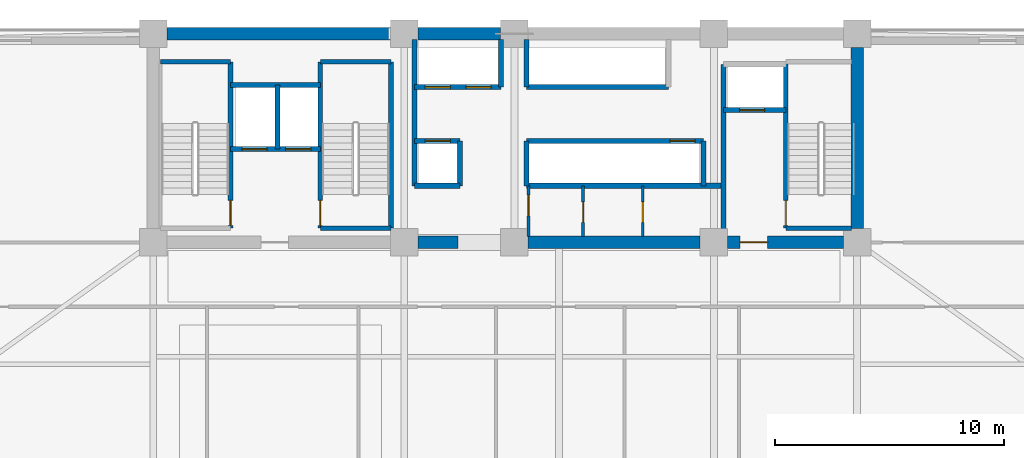
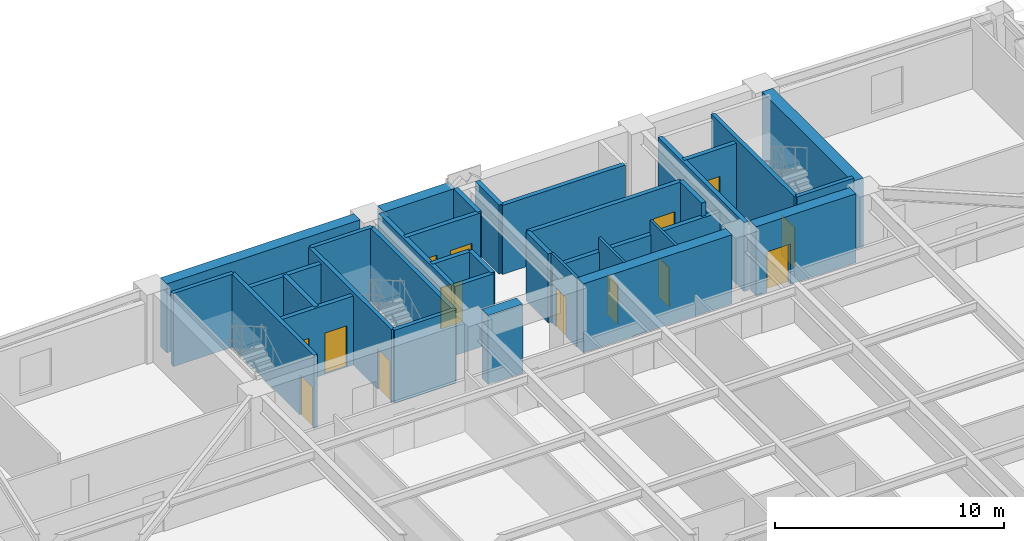
# One storey, part 9 of 15: 34 walls, 14 doors, 14 openings.
"""IFC4 building model written with IfcOpenShell, lengths in metres."""

from ifc_helpers import new_model, si_unit, direction, frame, frame_2d, origin, place, context, subcontext, project, spatial, rectangle, extrude, source, transform, mapped, material, layer, layer_set, type_object, element, fill, save


model = new_model("IFC4")

# Units and contexts
model_context = context("Model", 3, precision=1e-05, world=origin(), true_north=direction((0.0, 1.0)))
body_context = subcontext(model_context, "Body", "Model", "MODEL_VIEW")
ifc_project = project(units=[si_unit("LENGTHUNIT", "METRE"), si_unit("AREAUNIT", "SQUARE_METRE"), si_unit("VOLUMEUNIT", "CUBIC_METRE"), si_unit("PLANEANGLEUNIT", "RADIAN"), si_unit("MASSUNIT", "GRAM", prefix="KILO")], contexts=[model_context])

# Site, building, storey
site_placement = place(None, origin())
site = spatial("IfcSite", under=ifc_project, at=site_placement, CompositionType="ELEMENT")
building_placement = place(site_placement, origin())
building = spatial("IfcBuilding", under=site, at=building_placement, Name="Giltprow Tower", CompositionType="ELEMENT")
storey_placement = place(building_placement, frame((0.0, 0.0, 119.199951171875)))
storey = spatial("IfcBuildingStorey", under=building, at=storey_placement, Name="L29", CompositionType="ELEMENT", Elevation=119.199951171875)

# Wall, openings, doors
ifc_material_1 = material(Name="Concrete C40", Category="concrete")
ifc_layer_1 = layer(ifc_material_1, 0.219970703125, Name="Concrete C40")
ifc_layer_set_1 = layer_set([ifc_layer_1], Name="Concrete C40")
wall_type_1 = type_object("IfcWallType", Name="IW-SHAFT-220", PredefinedType="SOLIDWALL", material=ifc_layer_set_1)
wall_1_placement = place(storey_placement, frame((23.219970703125, 41.52001953125, 0.0), z_axis=(0.0, 0.0, 1.0), x_axis=(1.0, 0.0, 0.0)))
wall_1 = element("IfcWall", 1, at=wall_1_placement, inside=storey, type_object=wall_type_1, Name="L29 FFL1 and Service Lift Front Wall", PredefinedType="SOLIDWALL", context=body_context, shape_type="SweptSolid", body=[
    extrude(rectangle(XDim=3.919921875, YDim=0.219970703125, at=frame_2d((1.9599609375, 0.0))), origin(), (0.0, 0.0, 1.0), 3.679931640625),
])
opening_1_placement = place(wall_1_placement, frame((0.5, 0.0, 0.0)))
opening_1 = element("IfcOpeningElement", 2, at=opening_1_placement, cuts=wall_1, Name="Opening LD-11", PredefinedType="OPENING", context=body_context, shape_type="SweptSolid", body=[
    extrude(rectangle(XDim=1.10009765625, YDim=2.199951171875, at=frame_2d((0.550048828125, 1.10009765625))), frame((0.0, 0.119873046875, 0.0), z_axis=(0.0, -1.0, 0.0), x_axis=(1.0, 0.0, 0.0)), (0.0, 0.0, 1.0), 0.239990234375),
])
opening_2_placement = place(wall_1_placement, frame((2.39990234375, 0.0, 0.0)))
opening_2 = element("IfcOpeningElement", 3, at=opening_2_placement, cuts=wall_1, Name="Opening LD-11", PredefinedType="OPENING", context=body_context, shape_type="SweptSolid", body=[
    extrude(rectangle(XDim=1.10009765625, YDim=2.199951171875, at=frame_2d((0.550048828125, 1.10009765625))), frame((0.0, 0.119873046875, 0.0), z_axis=(0.0, -1.0, 0.0), x_axis=(1.0, 0.0, 0.0)), (0.0, 0.0, 1.0), 0.239990234375),
])
ifc_material_2 = material(Name="Stainless steel", Category="steel")
door_type_1 = type_object("IfcDoorType", Name="DR-LIFT-LD1100", OperationType="SLIDING_TO_LEFT", PredefinedType="DOOR", material=ifc_material_2)
shared_shape_1 = source(origin(), body_context, "Body", "SweptSolid", [
    extrude(rectangle(XDim=1.10009765625, YDim=2.199951171875, at=frame_2d((0.550048828125, 1.10009765625))), frame((0.0, 0.02490234375, 0.0), z_axis=(0.0, -1.0, 0.0), x_axis=(1.0, 0.0, 0.0)), (0.0, 0.0, 1.0), 0.050048828125),
])
door_1_placement = place(opening_1_placement, origin())
door_1 = element("IfcDoor", 4, at=door_1_placement, inside=storey, type_object=door_type_1, Name="L29 FFL1 Landing Door", OperationType="SLIDING_TO_LEFT", OverallHeight=2.199951171875, OverallWidth=1.10009765625, PredefinedType="DOOR", context=body_context, shape_type="MappedRepresentation", body=[
    mapped(shared_shape_1, transform((0.0, 0.0, 0.0), x_axis=(1.0, 0.0, 0.0), y_axis=(0.0, 1.0, 0.0), z_axis=(0.0, 0.0, 1.0), scale=1.0)),
])
fill(opening_1, door_1)
door_2_placement = place(opening_2_placement, origin())
door_2 = element("IfcDoor", 5, at=door_2_placement, inside=storey, type_object=door_type_1, Name="L29 SVL1 Landing Door", OperationType="SLIDING_TO_LEFT", OverallHeight=2.199951171875, OverallWidth=1.10009765625, PredefinedType="DOOR", context=body_context, shape_type="MappedRepresentation", body=[
    mapped(shared_shape_1, transform((0.0, 0.0, 0.0), x_axis=(1.0, 0.0, 0.0), y_axis=(0.0, 1.0, 0.0), z_axis=(0.0, 0.0, 1.0), scale=1.0)),
])
fill(opening_2, door_2)

# Walls
wall_2_placement = place(storey_placement, frame((25.260009765625, 41.52001953125, 0.0), z_axis=(0.0, 0.0, 1.0), x_axis=(0.0, 1.0, 0.0)))
element("IfcWall", 6, at=wall_2_placement, inside=storey, type_object=wall_type_1, Name="L29 FFL1-SVL1 Shaft Divider", PredefinedType="SOLIDWALL", context=body_context, shape_type="SweptSolid", body=[
    extrude(rectangle(XDim=2.800048828125, YDim=0.219970703125, at=frame_2d((1.39990234375, 0.0))), origin(), (0.0, 0.0, 1.0), 3.679931640625),
])
wall_3_placement = place(storey_placement, frame((23.219970703125, 44.320068359375, 0.0), z_axis=(0.0, 0.0, 1.0), x_axis=(1.0, 0.0, 0.0)))
element("IfcWall", 7, at=wall_3_placement, inside=storey, type_object=wall_type_1, Name="L29 FFL1-SVL1 Back Shaft Wall", PredefinedType="SOLIDWALL", context=body_context, shape_type="SweptSolid", body=[
    extrude(rectangle(XDim=3.919921875, YDim=0.219970703125, at=frame_2d((1.9599609375, 0.0))), origin(), (0.0, 0.0, 1.0), 3.679931640625),
])

# Wall, opening, door
wall_4_placement = place(storey_placement, frame((44.719970703125, 43.219970703125, 0.0), z_axis=(0.0, 0.0, 1.0), x_axis=(1.0, 0.0, 0.0)))
wall_4 = element("IfcWall", 8, at=wall_4_placement, inside=storey, type_object=wall_type_1, Name="L29 FFL2 Front Shaft Wall", PredefinedType="SOLIDWALL", context=body_context, shape_type="SweptSolid", body=[
    extrude(rectangle(XDim=2.719970703125, YDim=0.219970703125, at=frame_2d((1.35986328125, 0.0))), origin(), (0.0, 0.0, 1.0), 3.679931640625),
])
opening_3_placement = place(wall_4_placement, frame((0.699951171875, 0.0, 0.0)))
opening_3 = element("IfcOpeningElement", 9, at=opening_3_placement, cuts=wall_4, Name="Opening LD-11", PredefinedType="OPENING", context=body_context, shape_type="SweptSolid", body=[
    extrude(rectangle(XDim=1.10009765625, YDim=2.199951171875, at=frame_2d((0.550048828125, 1.10009765625))), frame((0.0, 0.119873046875, 0.0), z_axis=(0.0, -1.0, 0.0), x_axis=(1.0, 0.0, 0.0)), (0.0, 0.0, 1.0), 0.239990234375),
])
door_3_placement = place(opening_3_placement, origin())
door_3 = element("IfcDoor", 10, at=door_3_placement, inside=storey, type_object=door_type_1, Name="L29 FFL2 Landing Door", OperationType="SLIDING_TO_LEFT", OverallHeight=2.199951171875, OverallWidth=1.10009765625, PredefinedType="DOOR", context=body_context, shape_type="MappedRepresentation", body=[
    mapped(shared_shape_1, transform((0.0, 0.0, 0.0), x_axis=(1.0, 0.0, 0.0), y_axis=(0.0, 1.0, 0.0), z_axis=(0.0, 0.0, 1.0), scale=1.0)),
])
fill(opening_3, door_3)

# Wall
wall_5_placement = place(storey_placement, frame((44.719970703125, 37.705078125, 0.0), z_axis=(0.0, 0.0, 1.0), x_axis=(0.0, 1.0, 0.0)))
element("IfcWall", 11, at=wall_5_placement, inside=storey, type_object=wall_type_1, Name="L29 East Firefighting Lobby West Wall", PredefinedType="SOLIDWALL", context=body_context, shape_type="SweptSolid", body=[
    extrude(rectangle(XDim=7.514892578125, YDim=0.219970703125, at=frame_2d((3.75732421875, 0.0))), origin(), (0.0, 0.0, 1.0), 3.679931640625),
])

# Wall, openings, doors
wall_6_placement = place(storey_placement, frame((31.25, 44.219970703125, 0.0), z_axis=(0.0, 0.0, 1.0), x_axis=(1.0, 0.0, 0.0)))
wall_6 = element("IfcWall", 12, at=wall_6_placement, inside=storey, type_object=wall_type_1, Name="L29 North West Lift Shaft Front Wall", PredefinedType="SOLIDWALL", context=body_context, shape_type="SweptSolid", body=[
    extrude(rectangle(XDim=3.77001953125, YDim=0.219970703125, at=frame_2d((1.885009765625, 0.0))), origin(), (0.0, 0.0, 1.0), 3.679931640625),
])
opening_4_placement = place(wall_6_placement, frame((0.4599609375, 0.0, 0.0)))
opening_4 = element("IfcOpeningElement", 13, at=opening_4_placement, cuts=wall_6, Name="Opening LD-11", PredefinedType="OPENING", context=body_context, shape_type="SweptSolid", body=[
    extrude(rectangle(XDim=1.10009765625, YDim=2.199951171875, at=frame_2d((0.550048828125, 1.10009765625))), frame((0.0, 0.119873046875, 0.0), z_axis=(0.0, -1.0, 0.0), x_axis=(1.0, 0.0, 0.0)), (0.0, 0.0, 1.0), 0.239990234375),
])
opening_5_placement = place(wall_6_placement, frame((2.239990234375, 0.0, 0.0)))
opening_5 = element("IfcOpeningElement", 14, at=opening_5_placement, cuts=wall_6, Name="Opening LD-11", PredefinedType="OPENING", context=body_context, shape_type="SweptSolid", body=[
    extrude(rectangle(XDim=1.10009765625, YDim=2.199951171875, at=frame_2d((0.550048828125, 1.10009765625))), frame((0.0, 0.119873046875, 0.0), z_axis=(0.0, -1.0, 0.0), x_axis=(1.0, 0.0, 0.0)), (0.0, 0.0, 1.0), 0.239990234375),
])
door_4_placement = place(opening_4_placement, origin())
door_4 = element("IfcDoor", 15, at=door_4_placement, inside=storey, type_object=door_type_1, Name="L29 PL-L1 Landing Door", OperationType="SLIDING_TO_LEFT", OverallHeight=2.199951171875, OverallWidth=1.10009765625, PredefinedType="DOOR", context=body_context, shape_type="MappedRepresentation", body=[
    mapped(shared_shape_1, transform((0.0, 0.0, 0.0), x_axis=(1.0, 0.0, 0.0), y_axis=(0.0, 1.0, 0.0), z_axis=(0.0, 0.0, 1.0), scale=1.0)),
])
fill(opening_4, door_4)
door_5_placement = place(opening_5_placement, origin())
door_5 = element("IfcDoor", 16, at=door_5_placement, inside=storey, type_object=door_type_1, Name="L29 PL-L2 Landing Door", OperationType="SLIDING_TO_LEFT", OverallHeight=2.199951171875, OverallWidth=1.10009765625, PredefinedType="DOOR", context=body_context, shape_type="MappedRepresentation", body=[
    mapped(shared_shape_1, transform((0.0, 0.0, 0.0), x_axis=(1.0, 0.0, 0.0), y_axis=(0.0, 1.0, 0.0), z_axis=(0.0, 0.0, 1.0), scale=1.0)),
])
fill(opening_5, door_5)

# Walls
wall_7_placement = place(storey_placement, frame((36.1201171875, 44.219970703125, 0.0), z_axis=(0.0, 0.0, 1.0), x_axis=(1.0, 0.0, 0.0)))
element("IfcWall", 17, at=wall_7_placement, inside=storey, type_object=wall_type_1, Name="L29 North East Lift Shaft Front Wall", PredefinedType="SOLIDWALL", context=body_context, shape_type="SweptSolid", body=[
    extrude(rectangle(XDim=6.199951171875, YDim=0.219970703125, at=frame_2d((3.10009765625, 0.0))), origin(), (0.0, 0.0, 1.0), 3.679931640625),
])
for number, where, z_axis, x_axis, name in (
    (18, (35.02001953125, 44.219970703125, 0.0), (0.0, 0.0, 1.0), (0.0, 1.0, 0.0), "L29 North West Lift Shaft East Closure"),
    (19, (36.1201171875, 44.219970703125, 0.0), (0.0, 0.0, 1.0), (0.0, 1.0, 0.0), "L29 North East Lift Shaft West Closure"),
):
    element("IfcWall", number, at=place(storey_placement, frame(where, z_axis=z_axis, x_axis=x_axis)), inside=storey, type_object=wall_type_1, Name=name, PredefinedType="SOLIDWALL", context=body_context, shape_type="SweptSolid", body=[
        extrude(rectangle(XDim=2.074951171875, YDim=0.219970703125, at=frame_2d((1.03759765625, 0.0))), origin(), (0.0, 0.0, 1.0), 3.679931640625),
    ])

# Wall, opening, door
wall_8_placement = place(storey_placement, frame((31.25, 41.8798828125, 0.0), z_axis=(0.0, 0.0, 1.0), x_axis=(1.0, 0.0, 0.0)))
wall_8 = element("IfcWall", 20, at=wall_8_placement, inside=storey, type_object=wall_type_1, Name="L29 South West Lift Shaft Front Wall", PredefinedType="SOLIDWALL", context=body_context, shape_type="SweptSolid", body=[
    extrude(rectangle(XDim=1.969970703125, YDim=0.219970703125, at=frame_2d((0.98486328125, 0.0))), origin(), (0.0, 0.0, 1.0), 3.679931640625),
])
opening_6_placement = place(wall_8_placement, frame((0.4599609375, 0.0, 0.0)))
opening_6 = element("IfcOpeningElement", 21, at=opening_6_placement, cuts=wall_8, Name="Opening LD-11", PredefinedType="OPENING", context=body_context, shape_type="SweptSolid", body=[
    extrude(rectangle(XDim=1.10009765625, YDim=2.199951171875, at=frame_2d((0.550048828125, 1.10009765625))), frame((0.0, 0.119873046875, 0.0), z_axis=(0.0, -1.0, 0.0), x_axis=(1.0, 0.0, 0.0)), (0.0, 0.0, 1.0), 0.239990234375),
])
door_6_placement = place(opening_6_placement, origin())
door_6 = element("IfcDoor", 22, at=door_6_placement, inside=storey, type_object=door_type_1, Name="L29 PL-L3 Landing Door", OperationType="SLIDING_TO_LEFT", OverallHeight=2.199951171875, OverallWidth=1.10009765625, PredefinedType="DOOR", context=body_context, shape_type="MappedRepresentation", body=[
    mapped(shared_shape_1, transform((0.0, 0.0, 0.0), x_axis=(1.0, 0.0, 0.0), y_axis=(0.0, 1.0, 0.0), z_axis=(0.0, 0.0, 1.0), scale=1.0)),
])
fill(opening_6, door_6)

wall_9_placement = place(storey_placement, frame((36.1201171875, 41.8798828125, 0.0), z_axis=(0.0, 0.0, 1.0), x_axis=(1.0, 0.0, 0.0)))
wall_9 = element("IfcWall", 23, at=wall_9_placement, inside=storey, type_object=wall_type_1, Name="L29 South East Lift Shaft Front Wall", PredefinedType="SOLIDWALL", context=body_context, shape_type="SweptSolid", body=[
    extrude(rectangle(XDim=7.72998046875, YDim=0.219970703125, at=frame_2d((3.864990234375, 0.0))), origin(), (0.0, 0.0, 1.0), 3.679931640625),
])
opening_7_placement = place(wall_9_placement, frame((6.260009765625, 0.0, 0.0)))
opening_7 = element("IfcOpeningElement", 24, at=opening_7_placement, cuts=wall_9, Name="Opening LD-11", PredefinedType="OPENING", context=body_context, shape_type="SweptSolid", body=[
    extrude(rectangle(XDim=1.10009765625, YDim=2.199951171875, at=frame_2d((0.550048828125, 1.10009765625))), frame((0.0, 0.119873046875, 0.0), z_axis=(0.0, -1.0, 0.0), x_axis=(1.0, 0.0, 0.0)), (0.0, 0.0, 1.0), 0.239990234375),
])
door_7_placement = place(opening_7_placement, origin())
door_7 = element("IfcDoor", 25, at=door_7_placement, inside=storey, type_object=door_type_1, Name="L29 PL-L4 Landing Door", OperationType="SLIDING_TO_LEFT", OverallHeight=2.199951171875, OverallWidth=1.10009765625, PredefinedType="DOOR", context=body_context, shape_type="MappedRepresentation", body=[
    mapped(shared_shape_1, transform((0.0, 0.0, 0.0), x_axis=(1.0, 0.0, 0.0), y_axis=(0.0, 1.0, 0.0), z_axis=(0.0, 0.0, 1.0), scale=1.0)),
])
fill(opening_7, door_7)

# Walls
wall_10_placement = place(storey_placement, frame((31.25, 39.919921875, 0.0), z_axis=(0.0, 0.0, 1.0), x_axis=(1.0, 0.0, 0.0)))
element("IfcWall", 26, at=wall_10_placement, inside=storey, type_object=wall_type_1, Name="L29 Low-Rise South Lift Back Wall", PredefinedType="SOLIDWALL", context=body_context, shape_type="SweptSolid", body=[
    extrude(rectangle(XDim=1.969970703125, YDim=0.219970703125, at=frame_2d((0.98486328125, 0.0))), origin(), (0.0, 0.0, 1.0), 3.679931640625),
])
wall_11_placement = place(storey_placement, frame((33.219970703125, 39.919921875, 0.0), z_axis=(0.0, 0.0, 1.0), x_axis=(0.0, 1.0, 0.0)))
element("IfcWall", 27, at=wall_11_placement, inside=storey, type_object=wall_type_1, Name="L29 Low-Rise South Lift East Closure", PredefinedType="SOLIDWALL", context=body_context, shape_type="SweptSolid", body=[
    extrude(rectangle(XDim=1.9599609375, YDim=0.219970703125, at=frame_2d((0.97998046875, 0.0))), origin(), (0.0, 0.0, 1.0), 3.679931640625),
])
wall_12_placement = place(storey_placement, frame((36.1201171875, 39.919921875, 0.0), z_axis=(0.0, 0.0, 1.0), x_axis=(1.0, 0.0, 0.0)))
element("IfcWall", 28, at=wall_12_placement, inside=storey, type_object=wall_type_1, Name="L29 Express South Shaft Back Wall", PredefinedType="SOLIDWALL", context=body_context, shape_type="SweptSolid", body=[
    extrude(rectangle(XDim=8.599853515625, YDim=0.219970703125, at=frame_2d((4.2998046875, 0.0))), origin(), (0.0, 0.0, 1.0), 2.965087890625),
])
wall_13_placement = place(storey_placement, frame((36.1201171875, 39.919921875, 0.0), z_axis=(0.0, 0.0, 1.0), x_axis=(0.0, 1.0, 0.0)))
element("IfcWall", 29, at=wall_13_placement, inside=storey, type_object=wall_type_1, Name="L29 Express South Shaft West Closure", PredefinedType="SOLIDWALL", context=body_context, shape_type="SweptSolid", body=[
    extrude(rectangle(XDim=1.9599609375, YDim=0.219970703125, at=frame_2d((0.97998046875, 0.0))), origin(), (0.0, 0.0, 1.0), 3.679931640625),
])
wall_14_placement = place(storey_placement, frame((31.25, 39.919921875, 0.0), z_axis=(0.0, 0.0, 1.0), x_axis=(0.0, 1.0, 0.0)))
element("IfcWall", 30, at=wall_14_placement, inside=storey, type_object=wall_type_1, Name="L29 Lift Bank West Closure", PredefinedType="SOLIDWALL", context=body_context, shape_type="SweptSolid", body=[
    extrude(rectangle(XDim=6.375, YDim=0.219970703125, at=frame_2d((3.1875, 0.0))), origin(), (0.0, 0.0, 1.0), 3.679931640625),
])
wall_15_placement = place(storey_placement, frame((43.85009765625, 39.919921875, 0.0), z_axis=(0.0, 0.0, 1.0), x_axis=(0.0, 1.0, 0.0)))
element("IfcWall", 31, at=wall_15_placement, inside=storey, type_object=wall_type_1, Name="L29 Lift Bank South-East Closure", PredefinedType="SOLIDWALL", context=body_context, shape_type="SweptSolid", body=[
    extrude(rectangle(XDim=1.9599609375, YDim=0.219970703125, at=frame_2d((0.97998046875, 0.0))), origin(), (0.0, 0.0, 1.0), 3.679931640625),
])

# Wall, opening, door
ifc_layer_2 = layer(ifc_material_1, 0.199951171875, Name="Concrete C40")
ifc_layer_set_2 = layer_set([ifc_layer_2], Name="Concrete C40")
wall_type_2 = type_object("IfcWallType", Name="IW-STAIR-200", PredefinedType="SOLIDWALL", material=ifc_layer_set_2)
wall_16_placement = place(storey_placement, frame((23.219970703125, 38.070068359375, 0.0), z_axis=(0.0, 0.0, 1.0), x_axis=(0.0, 1.0, 0.0)))
wall_16 = element("IfcWall", 32, at=wall_16_placement, inside=storey, type_object=wall_type_2, Name="L29 Stair ST-1 East Bearing Wall", PredefinedType="SOLIDWALL", context=body_context, shape_type="SweptSolid", body=[
    extrude(rectangle(XDim=7.25, YDim=0.199951171875, at=frame_2d((3.625, 0.0))), origin(), (0.0, 0.0, 1.0), 3.900146484375),
])
opening_8_placement = place(wall_16_placement, frame((0.110107421875, 0.0, 0.0)))
opening_8 = element("IfcOpeningElement", 33, at=opening_8_placement, cuts=wall_16, Name="Opening ID33", PredefinedType="OPENING", context=body_context, shape_type="SweptSolid", body=[
    extrude(rectangle(XDim=1.10009765625, YDim=2.14990234375, at=frame_2d((0.550048828125, 1.074951171875))), frame((0.0, 0.10986328125, 0.0), z_axis=(0.0, -1.0, 0.0), x_axis=(1.0, 0.0, 0.0)), (0.0, 0.0, 1.0), 0.219970703125),
])
ifc_material_3 = material(Name="Steel fire leaf", Category="steel")
door_type_2 = type_object("IfcDoorType", Name="DR-STAIR-1100", OperationType="SINGLE_SWING_LEFT", PredefinedType="DOOR", material=ifc_material_3)
shared_shape_2 = source(origin(), body_context, "Body", "SweptSolid", [
    extrude(rectangle(XDim=1.10009765625, YDim=2.14990234375, at=frame_2d((0.550048828125, 1.074951171875))), frame((0.0, 0.02490234375, 0.0), z_axis=(0.0, -1.0, 0.0), x_axis=(1.0, 0.0, 0.0)), (0.0, 0.0, 1.0), 0.050048828125),
])
door_8_placement = place(opening_8_placement, origin())
door_8 = element("IfcDoor", 34, at=door_8_placement, inside=storey, type_object=door_type_2, Name="L29 Stair ST-1 Fire Door", OperationType="SINGLE_SWING_RIGHT", OverallHeight=2.14990234375, OverallWidth=1.10009765625, PredefinedType="DOOR", context=body_context, shape_type="MappedRepresentation", body=[
    mapped(shared_shape_2, transform((0.0, 0.0, 0.0), x_axis=(1.0, 0.0, 0.0), y_axis=(0.0, 1.0, 0.0), z_axis=(0.0, 0.0, 1.0), scale=1.0)),
])
fill(opening_8, door_8)

# Wall
wall_17_placement = place(storey_placement, frame((20.169921875, 45.320068359375, 0.0), z_axis=(0.0, 0.0, 1.0), x_axis=(1.0, 0.0, 0.0)))
element("IfcWall", 35, at=wall_17_placement, inside=storey, type_object=wall_type_2, Name="L29 Stair ST-1 North Bearing Wall", PredefinedType="SOLIDWALL", context=body_context, shape_type="SweptSolid", body=[
    extrude(rectangle(XDim=3.050048828125, YDim=0.199951171875, at=frame_2d((1.52490234375, 0.0))), origin(), (0.0, 0.0, 1.0), 3.900146484375),
])

# Wall, opening, door
wall_18_placement = place(storey_placement, frame((27.139892578125, 38.070068359375, 0.0), z_axis=(0.0, 0.0, 1.0), x_axis=(0.0, 1.0, 0.0)))
wall_18 = element("IfcWall", 36, at=wall_18_placement, inside=storey, type_object=wall_type_2, Name="L29 Stair ST-2 West Bearing Wall", PredefinedType="SOLIDWALL", context=body_context, shape_type="SweptSolid", body=[
    extrude(rectangle(XDim=7.25, YDim=0.199951171875, at=frame_2d((3.625, 0.0))), origin(), (0.0, 0.0, 1.0), 3.900146484375),
])
opening_9_placement = place(wall_18_placement, frame((0.110107421875, 0.0, 0.0)))
opening_9 = element("IfcOpeningElement", 37, at=opening_9_placement, cuts=wall_18, Name="Opening ID33", PredefinedType="OPENING", context=body_context, shape_type="SweptSolid", body=[
    extrude(rectangle(XDim=1.10009765625, YDim=2.14990234375, at=frame_2d((0.550048828125, 1.074951171875))), frame((0.0, 0.10986328125, 0.0), z_axis=(0.0, -1.0, 0.0), x_axis=(1.0, 0.0, 0.0)), (0.0, 0.0, 1.0), 0.219970703125),
])
door_9_placement = place(opening_9_placement, origin())
door_9 = element("IfcDoor", 38, at=door_9_placement, inside=storey, type_object=door_type_2, Name="L29 Stair ST-2 Fire Door", OperationType="SINGLE_SWING_LEFT", OverallHeight=2.14990234375, OverallWidth=1.10009765625, PredefinedType="DOOR", context=body_context, shape_type="MappedRepresentation", body=[
    mapped(shared_shape_2, transform((0.0, 0.0, 0.0), x_axis=(1.0, 0.0, 0.0), y_axis=(0.0, 1.0, 0.0), z_axis=(0.0, 0.0, 1.0), scale=1.0)),
])
fill(opening_9, door_9)

# Walls
wall_19_placement = place(storey_placement, frame((30.219970703125, 38.070068359375, 0.0), z_axis=(0.0, 0.0, 1.0), x_axis=(0.0, 1.0, 0.0)))
element("IfcWall", 39, at=wall_19_placement, inside=storey, type_object=wall_type_2, Name="L29 Stair ST-2 East Bearing Wall", PredefinedType="SOLIDWALL", context=body_context, shape_type="SweptSolid", body=[
    extrude(rectangle(XDim=7.25, YDim=0.199951171875, at=frame_2d((3.625, 0.0))), origin(), (0.0, 0.0, 1.0), 3.900146484375),
])
for number, where, z_axis, x_axis, name in (
    (40, (27.139892578125, 45.320068359375, 0.0), (0.0, 0.0, 1.0), (1.0, 0.0, 0.0), "L29 Stair ST-2 North Bearing Wall"),
    (41, (27.139892578125, 38.070068359375, 0.0), (0.0, 0.0, 1.0), (1.0, 0.0, 0.0), "L29 Stair ST-2 South Bearing Wall"),
):
    element("IfcWall", number, at=place(storey_placement, frame(where, z_axis=z_axis, x_axis=x_axis)), inside=storey, type_object=wall_type_2, Name=name, PredefinedType="SOLIDWALL", context=body_context, shape_type="SweptSolid", body=[
        extrude(rectangle(XDim=3.080078125, YDim=0.199951171875, at=frame_2d((1.5400390625, 0.0))), origin(), (0.0, 0.0, 1.0), 3.900146484375),
    ])

# Wall, opening, door
wall_20_placement = place(storey_placement, frame((47.43994140625, 38.070068359375, 0.0), z_axis=(0.0, 0.0, 1.0), x_axis=(0.0, 1.0, 0.0)))
wall_20 = element("IfcWall", 42, at=wall_20_placement, inside=storey, type_object=wall_type_2, Name="L29 Stair ST-3 West Bearing Wall", PredefinedType="SOLIDWALL", context=body_context, shape_type="SweptSolid", body=[
    extrude(rectangle(XDim=7.25, YDim=0.199951171875, at=frame_2d((3.625, 0.0))), origin(), (0.0, 0.0, 1.0), 3.900146484375),
])
opening_10_placement = place(wall_20_placement, frame((0.110107421875, 0.0, 0.0)))
opening_10 = element("IfcOpeningElement", 43, at=opening_10_placement, cuts=wall_20, Name="Opening ID33", PredefinedType="OPENING", context=body_context, shape_type="SweptSolid", body=[
    extrude(rectangle(XDim=1.10009765625, YDim=2.14990234375, at=frame_2d((0.550048828125, 1.074951171875))), frame((0.0, 0.10986328125, 0.0), z_axis=(0.0, -1.0, 0.0), x_axis=(1.0, 0.0, 0.0)), (0.0, 0.0, 1.0), 0.219970703125),
])
door_10_placement = place(opening_10_placement, origin())
door_10 = element("IfcDoor", 44, at=door_10_placement, inside=storey, type_object=door_type_2, Name="L29 Stair ST-3 Fire Door", OperationType="SINGLE_SWING_RIGHT", OverallHeight=2.14990234375, OverallWidth=1.10009765625, PredefinedType="DOOR", context=body_context, shape_type="MappedRepresentation", body=[
    mapped(shared_shape_2, transform((0.0, 0.0, 0.0), x_axis=(1.0, 0.0, 0.0), y_axis=(0.0, 1.0, 0.0), z_axis=(0.0, 0.0, 1.0), scale=1.0)),
])
fill(opening_10, door_10)

# Wall
wall_21_placement = place(storey_placement, frame((47.43994140625, 38.070068359375, 0.0), z_axis=(0.0, 0.0, 1.0), x_axis=(1.0, 0.0, 0.0)))
element("IfcWall", 45, at=wall_21_placement, inside=storey, type_object=wall_type_2, Name="L29 Stair ST-3 South Bearing Wall", PredefinedType="SOLIDWALL", context=body_context, shape_type="SweptSolid", body=[
    extrude(rectangle(XDim=2.85498046875, YDim=0.199951171875, at=frame_2d((1.427490234375, 0.0))), origin(), (0.0, 0.0, 1.0), 3.900146484375),
])

# Wall, opening, door
ifc_material_4 = material(Name="Concrete C30", Category="concrete")
ifc_layer_3 = layer(ifc_material_4, 0.1298828125, Name="Concrete C30")
ifc_layer_set_3 = layer_set([ifc_layer_3], Name="Concrete C30")
wall_type_3 = type_object("IfcWallType", Name="IW-WET-130", PredefinedType="PARTITIONING", material=ifc_layer_set_3)
wall_22_placement = place(storey_placement, frame((36.219970703125, 37.705078125, 0.0), z_axis=(0.0, 0.0, 1.0), x_axis=(0.0, 1.0, 0.0)))
wall_22 = element("IfcWall", 46, at=wall_22_placement, inside=storey, type_object=wall_type_3, Name="L29 Core Suite West Wall", PredefinedType="PARTITIONING", context=body_context, shape_type="SweptSolid", body=[
    extrude(rectangle(XDim=2.21484375, YDim=0.1298828125, at=frame_2d((1.107421875, 0.0))), origin(), (0.0, 0.0, 1.0), 3.679931640625),
])
opening_11_placement = place(wall_22_placement, frame((0.905029296875, 0.0, 0.0)))
opening_11 = element("IfcOpeningElement", 47, at=opening_11_placement, cuts=wall_22, Name="Opening ID35", PredefinedType="OPENING", context=body_context, shape_type="SweptSolid", body=[
    extrude(rectangle(XDim=0.89990234375, YDim=2.10009765625, at=frame_2d((0.449951171875, 1.050048828125))), frame((0.0, 0.074951171875, 0.0), z_axis=(0.0, -1.0, 0.0), x_axis=(1.0, 0.0, 0.0)), (0.0, 0.0, 1.0), 0.14990234375),
])
door_type_3 = type_object("IfcDoorType", Name="DR-SHAFT-900", OperationType="SINGLE_SWING_LEFT", PredefinedType="DOOR", material=ifc_material_3)
shared_shape_3 = source(origin(), body_context, "Body", "SweptSolid", [
    extrude(rectangle(XDim=0.89990234375, YDim=2.10009765625, at=frame_2d((0.449951171875, 1.050048828125))), frame((0.0, 0.02490234375, 0.0), z_axis=(0.0, -1.0, 0.0), x_axis=(1.0, 0.0, 0.0)), (0.0, 0.0, 1.0), 0.050048828125),
])
door_11_placement = place(opening_11_placement, origin())
door_11 = element("IfcDoor", 48, at=door_11_placement, inside=storey, type_object=door_type_3, Name="L29 Core Washroom 1 Door", OperationType="SINGLE_SWING_RIGHT", OverallHeight=2.10009765625, OverallWidth=0.89990234375, PredefinedType="DOOR", context=body_context, shape_type="MappedRepresentation", body=[
    mapped(shared_shape_3, transform((0.0, 0.0, 0.0), x_axis=(1.0, 0.0, 0.0), y_axis=(0.0, 1.0, 0.0), z_axis=(0.0, 0.0, 1.0), scale=1.0)),
])
fill(opening_11, door_11)

wall_23_placement = place(storey_placement, frame((38.60009765625, 37.705078125, 0.0), z_axis=(0.0, 0.0, 1.0), x_axis=(0.0, 1.0, 0.0)))
wall_23 = element("IfcWall", 49, at=wall_23_placement, inside=storey, type_object=wall_type_3, Name="L29 Core Suite Divider 1", PredefinedType="PARTITIONING", context=body_context, shape_type="SweptSolid", body=[
    extrude(rectangle(XDim=2.21484375, YDim=0.1298828125, at=frame_2d((1.107421875, 0.0))), origin(), (0.0, 0.0, 1.0), 3.679931640625),
])
opening_12_placement = place(wall_23_placement, frame((0.614990234375, 0.0, 0.0)))
opening_12 = element("IfcOpeningElement", 50, at=opening_12_placement, cuts=wall_23, Name="Opening ID35", PredefinedType="OPENING", context=body_context, shape_type="SweptSolid", body=[
    extrude(rectangle(XDim=0.89990234375, YDim=2.10009765625, at=frame_2d((0.449951171875, 1.050048828125))), frame((0.0, 0.074951171875, 0.0), z_axis=(0.0, -1.0, 0.0), x_axis=(1.0, 0.0, 0.0)), (0.0, 0.0, 1.0), 0.14990234375),
])
door_12_placement = place(opening_12_placement, origin())
door_12 = element("IfcDoor", 51, at=door_12_placement, inside=storey, type_object=door_type_3, Name="L29 Core Stationery Room Door", OperationType="SINGLE_SWING_RIGHT", OverallHeight=2.10009765625, OverallWidth=0.89990234375, PredefinedType="DOOR", context=body_context, shape_type="MappedRepresentation", body=[
    mapped(shared_shape_3, transform((0.0, 0.0, 0.0), x_axis=(1.0, 0.0, 0.0), y_axis=(0.0, 1.0, 0.0), z_axis=(0.0, 0.0, 1.0), scale=1.0)),
])
fill(opening_12, door_12)

wall_24_placement = place(storey_placement, frame((41.199951171875, 37.705078125, 0.0), z_axis=(0.0, 0.0, 1.0), x_axis=(0.0, 1.0, 0.0)))
wall_24 = element("IfcWall", 52, at=wall_24_placement, inside=storey, type_object=wall_type_3, Name="L29 Core Suite Divider 2", PredefinedType="PARTITIONING", context=body_context, shape_type="SweptSolid", body=[
    extrude(rectangle(XDim=2.21484375, YDim=0.1298828125, at=frame_2d((1.107421875, 0.0))), origin(), (0.0, 0.0, 1.0), 3.679931640625),
])
opening_13_placement = place(wall_24_placement, frame((0.614990234375, 0.0, 0.0)))
opening_13 = element("IfcOpeningElement", 53, at=opening_13_placement, cuts=wall_24, Name="Opening ID35", PredefinedType="OPENING", context=body_context, shape_type="SweptSolid", body=[
    extrude(rectangle(XDim=0.89990234375, YDim=2.10009765625, at=frame_2d((0.449951171875, 1.050048828125))), frame((0.0, 0.074951171875, 0.0), z_axis=(0.0, -1.0, 0.0), x_axis=(1.0, 0.0, 0.0)), (0.0, 0.0, 1.0), 0.14990234375),
])
door_13_placement = place(opening_13_placement, origin())
door_13 = element("IfcDoor", 54, at=door_13_placement, inside=storey, type_object=door_type_3, Name="L29 Core Archive Room Door", OperationType="SINGLE_SWING_LEFT", OverallHeight=2.10009765625, OverallWidth=0.89990234375, PredefinedType="DOOR", context=body_context, shape_type="MappedRepresentation", body=[
    mapped(shared_shape_3, transform((0.0, 0.0, 0.0), x_axis=(1.0, 0.0, 0.0), y_axis=(0.0, 1.0, 0.0), z_axis=(0.0, 0.0, 1.0), scale=1.0)),
])
fill(opening_13, door_13)

# Walls
ifc_material_5 = material(Name="Concrete C60", Category="concrete")
ifc_layer_4 = layer(ifc_material_5, 0.550048828125, Name="Concrete C60")
ifc_layer_set_4 = layer_set([ifc_layer_4], Name="Concrete C60")
wall_type_4 = type_object("IfcWallType", Name="SW-EXT-550-C60", PredefinedType="SHEAR", material=ifc_layer_set_4)
wall_25_placement = place(storey_placement, frame((20.449951171875, 46.550048828125, 0.0), z_axis=(0.0, 0.0, 1.0), x_axis=(1.0, 0.0, 0.0)))
element("IfcWall", 55, at=wall_25_placement, inside=storey, type_object=wall_type_4, Name="L29 North Rear Core Shear Wall 1", PredefinedType="SHEAR", context=body_context, shape_type="SweptSolid", body=[
    extrude(rectangle(XDim=9.75, YDim=0.550048828125, at=frame_2d((4.875, 0.0))), origin(), (0.0, 0.0, 1.0), 3.679931640625),
])
wall_26_placement = place(storey_placement, frame((31.39990234375, 46.550048828125, 0.0), z_axis=(0.0, 0.0, 1.0), x_axis=(1.0, 0.0, 0.0)))
element("IfcWall", 56, at=wall_26_placement, inside=storey, type_object=wall_type_4, Name="L29 North Rear Core Shear Wall 2", PredefinedType="SHEAR", context=body_context, shape_type="SweptSolid", body=[
    extrude(rectangle(XDim=3.60009765625, YDim=0.550048828125, at=frame_2d((1.800048828125, 0.0))), origin(), (0.0, 0.0, 1.0), 3.679931640625),
])
ifc_layer_5 = layer(ifc_material_5, 0.550048828125, Name="Concrete C60")
ifc_layer_set_5 = layer_set([ifc_layer_5], Name="Concrete C60")
wall_type_5 = type_object("IfcWallType", Name="SW-INT-550-C60", PredefinedType="SHEAR", material=ifc_layer_set_5)
wall_27_placement = place(storey_placement, frame((31.39990234375, 37.449951171875, 0.0), z_axis=(0.0, 0.0, 1.0), x_axis=(1.0, 0.0, 0.0)))
element("IfcWall", 57, at=wall_27_placement, inside=storey, type_object=wall_type_5, Name="L29 South Rear Core Shear Wall Mid-West", PredefinedType="SHEAR", context=body_context, shape_type="SweptSolid", body=[
    extrude(rectangle(XDim=1.75, YDim=0.550048828125, at=frame_2d((0.875, 0.0))), origin(), (0.0, 0.0, 1.0), 3.679931640625),
])
wall_28_placement = place(storey_placement, frame((36.199951171875, 37.449951171875, 0.0), z_axis=(0.0, 0.0, 1.0), x_axis=(1.0, 0.0, 0.0)))
element("IfcWall", 58, at=wall_28_placement, inside=storey, type_object=wall_type_5, Name="L29 South Rear Core Shear Wall Mid-East", PredefinedType="SHEAR", context=body_context, shape_type="SweptSolid", body=[
    extrude(rectangle(XDim=7.5, YDim=0.550048828125, at=frame_2d((3.75, 0.0))), origin(), (0.0, 0.0, 1.0), 3.679931640625),
])

# Wall, opening, door
wall_29_placement = place(storey_placement, frame((44.89990234375, 37.449951171875, 0.0), z_axis=(0.0, 0.0, 1.0), x_axis=(1.0, 0.0, 0.0)))
wall_29 = element("IfcWall", 59, at=wall_29_placement, inside=storey, type_object=wall_type_5, Name="L29 South Rear Core Shear Wall East", PredefinedType="SHEAR", context=body_context, shape_type="SweptSolid", body=[
    extrude(rectangle(XDim=5.050048828125, YDim=0.550048828125, at=frame_2d((2.52490234375, 0.0))), origin(), (0.0, 0.0, 1.0), 3.679931640625),
])
opening_14_placement = place(wall_29_placement, frame((0.550048828125, 0.0, 0.0)))
opening_14 = element("IfcOpeningElement", 60, at=opening_14_placement, cuts=wall_29, Name="Opening ID19", PredefinedType="OPENING", context=body_context, shape_type="SweptSolid", body=[
    extrude(rectangle(XDim=1.199951171875, YDim=2.14990234375, at=frame_2d((0.60009765625, 1.074951171875))), frame((0.0, 0.284912109375, 0.0), z_axis=(0.0, -1.0, 0.0), x_axis=(1.0, 0.0, 0.0)), (0.0, 0.0, 1.0), 0.570068359375),
])
door_type_4 = type_object("IfcDoorType", Name="DR-FFLOBBY-1200", OperationType="SINGLE_SWING_RIGHT", PredefinedType="DOOR", material=ifc_material_3)
shared_shape_4 = source(origin(), body_context, "Body", "SweptSolid", [
    extrude(rectangle(XDim=1.199951171875, YDim=2.14990234375, at=frame_2d((0.60009765625, 1.074951171875))), frame((0.0, 0.02490234375, 0.0), z_axis=(0.0, -1.0, 0.0), x_axis=(1.0, 0.0, 0.0)), (0.0, 0.0, 1.0), 0.050048828125),
])
door_14_placement = place(opening_14_placement, origin())
door_14 = element("IfcDoor", 61, at=door_14_placement, inside=storey, type_object=door_type_4, Name="L29 East Firefighting Lobby Entry Door", OperationType="SINGLE_SWING_RIGHT", OverallHeight=2.14990234375, OverallWidth=1.199951171875, PredefinedType="DOOR", context=body_context, shape_type="MappedRepresentation", body=[
    mapped(shared_shape_4, transform((0.0, 0.0, 0.0), x_axis=(1.0, 0.0, 0.0), y_axis=(0.0, 1.0, 0.0), z_axis=(0.0, 0.0, 1.0), scale=1.0)),
])
fill(opening_14, door_14)

# Wall
wall_30_placement = place(storey_placement, frame((50.550048828125, 38.050048828125, 0.0), z_axis=(0.0, 0.0, 1.0), x_axis=(0.0, 1.0, 0.0)))
element("IfcWall", 62, at=wall_30_placement, inside=storey, type_object=wall_type_5, Name="L29 E Rear Core Shear Wall", PredefinedType="SHEAR", context=body_context, shape_type="SweptSolid", body=[
    extrude(rectangle(XDim=7.89990234375, YDim=0.550048828125, at=frame_2d((3.949951171875, 0.0))), origin(), (0.0, 0.0, 1.0), 3.679931640625),
])

save(model, "model.ifc")
